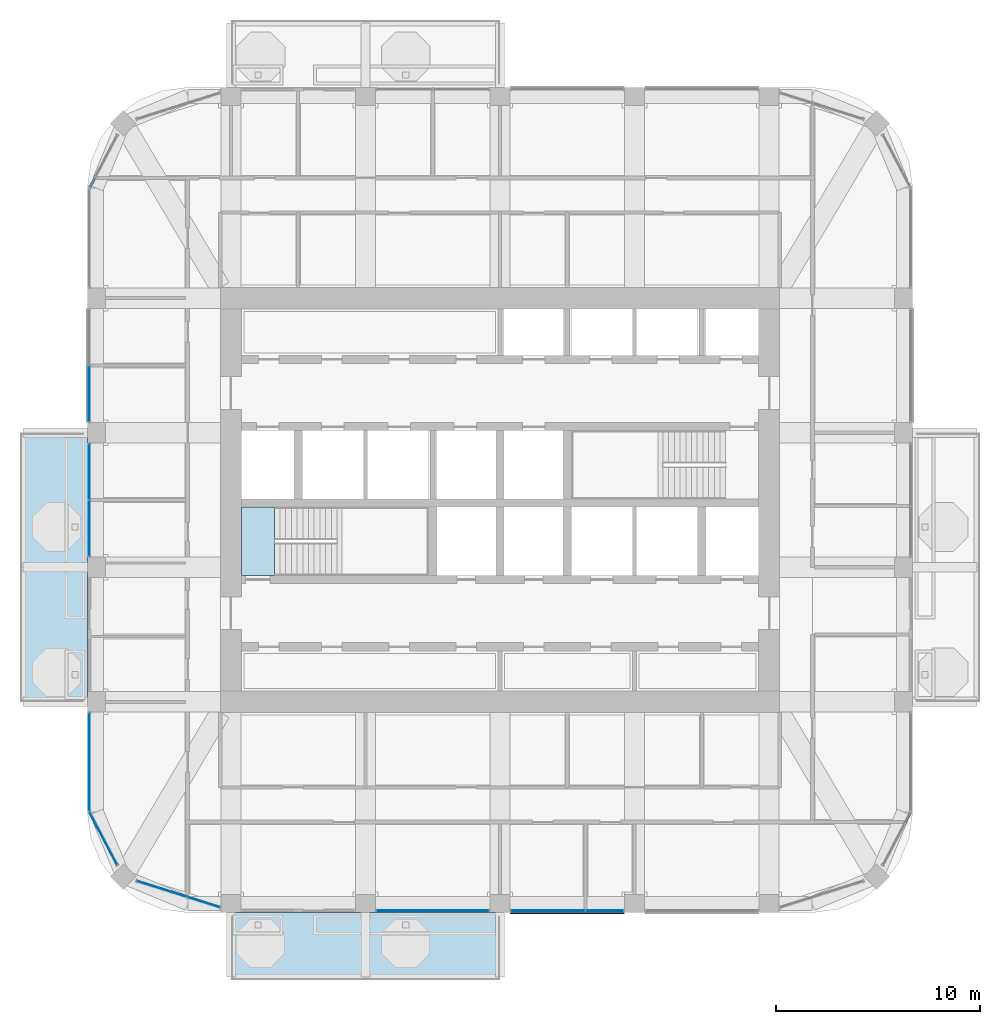
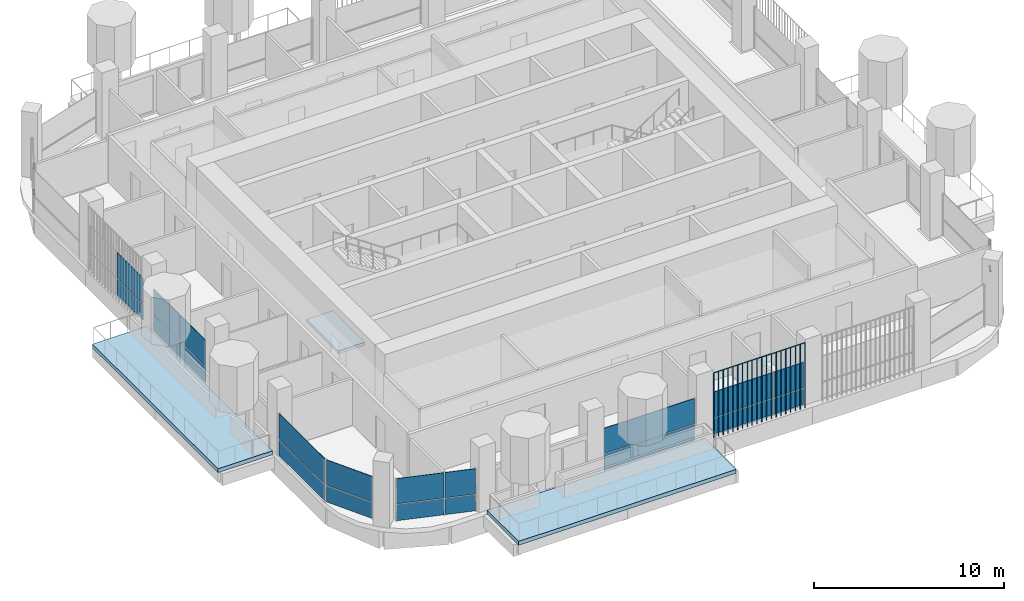
# One storey, part 7 of 18: 21 plates, 3 slabs, 2 members, 10 elements without a shape of their own.
"""IFC4 building model written with IfcOpenShell, lengths in metres."""

from ifc_helpers import new_model, si_unit, direction, frame, origin, origin_2d, place, context, subcontext, project, spatial, polyline, rectangle, outline, extrude, material, layer, layer_set, material_profile, profile_set, type_object, element, aggregate, save


model = new_model("IFC4")

# Units and contexts
model_context = context("Model", 3, precision=1e-05, world=origin(), true_north=direction((0.0, 1.0)))
body_context = subcontext(model_context, "Body", "Model", "MODEL_VIEW")
ifc_project = project(units=[si_unit("LENGTHUNIT", "METRE"), si_unit("AREAUNIT", "SQUARE_METRE"), si_unit("VOLUMEUNIT", "CUBIC_METRE"), si_unit("PLANEANGLEUNIT", "RADIAN"), si_unit("MASSUNIT", "GRAM", prefix="KILO")], contexts=[model_context])

# Site, building, storey
site_placement = place(None, origin())
site = spatial("IfcSite", under=ifc_project, at=site_placement, CompositionType="ELEMENT")
building_placement = place(site_placement, origin())
building = spatial("IfcBuilding", under=site, at=building_placement, Name="Cobogo Forest Laboratory Tower", CompositionType="ELEMENT")
storey_placement = place(building_placement, frame((0.0, 0.0, 271.199951171875)))
storey = spatial("IfcBuildingStorey", under=building, at=storey_placement, Name="L62", CompositionType="ELEMENT", Elevation=271.199951171875)

# Curtain wall, member
ifc_material_1 = material(Name="Aluminium curtain wall", Category="aluminium")
curtain_wall_type = type_object("IfcCurtainWallType", Name="CW-2 unitised curtain wall, solar control glazing, laboratory floors zones C and D", PredefinedType="USERDEFINED", material=ifc_material_1)
curtain_wall_1_placement = place(storey_placement, origin())
curtain_wall_1 = element("IfcCurtainWall", 1, at=curtain_wall_1_placement, inside=storey, type_object=curtain_wall_type, Name="Curtain wall 06 L62", ObjectType="UNITISED CURTAIN WALL", PredefinedType="USERDEFINED")
ifc_material_2 = material(Name="Aluminium transom", Category="aluminium")
ifc_material_profile = material_profile(ifc_material_2, rectangle(XDim=0.1201171875, YDim=0.06005859375, at=origin_2d()), Name="AL 60x120")
ifc_profile_set = profile_set([ifc_material_profile], Name="Aluminium transom")
member_type = type_object("IfcMemberType", Name="TR-1 aluminium transom 60x120", PredefinedType="USERDEFINED", material=ifc_profile_set)
member_1_placement = place(storey_placement, frame((46.282470703125, 7.289306640625, 1.050048828125), z_axis=(0.46414828098, 0.885757513806, 0.0), x_axis=(-0.885757513806, 0.46414828098, 0.0)))
member_1 = element("IfcMember", 2, at=member_1_placement, type_object=member_type, Name="CW-2 transom 2.1", ObjectType="TRANSOM", PredefinedType="USERDEFINED", context=body_context, shape_type="SweptSolid", body=[
    extrude(rectangle(XDim=0.1201171875, YDim=0.06005859375, at=origin_2d()), origin(), (0.0, 0.0, 1.0), 0.5166015625),
])
aggregate(curtain_wall_1, [member_1])

curtain_wall_2_placement = place(storey_placement, origin())
curtain_wall_2 = element("IfcCurtainWall", 3, at=curtain_wall_2_placement, inside=storey, type_object=curtain_wall_type, Name="Curtain wall 19 L62", ObjectType="UNITISED CURTAIN WALL", PredefinedType="USERDEFINED")
member_2_placement = place(storey_placement, frame((6.517578125, 38.91064453125, 1.050048828125), z_axis=(-0.46414828098, -0.885757513806, 0.0), x_axis=(0.885757513806, -0.46414828098, 0.0)))
member_2 = element("IfcMember", 4, at=member_2_placement, type_object=member_type, Name="CW-2 transom 2.1", ObjectType="TRANSOM", PredefinedType="USERDEFINED", context=body_context, shape_type="SweptSolid", body=[
    extrude(rectangle(XDim=0.1201171875, YDim=0.06005859375, at=origin_2d()), origin(), (0.0, 0.0, 1.0), 0.5166015625),
])
aggregate(curtain_wall_2, [member_2])

# Slabs
ifc_material_3 = material(Name="Concrete HA-40 (C40/50)", Category="concrete")
ifc_layer_1 = layer(ifc_material_3, 0.25)
ifc_layer_set_1 = layer_set([ifc_layer_1], Name="Balcony slab 250")
slab_type_1 = type_object("IfcSlabType", Name="Balcony slab 250", PredefinedType="FLOOR", material=ifc_layer_set_1)
slab_1_placement = place(storey_placement, frame((0.0, 0.0, -0.25)))
element("IfcSlab", 5, at=slab_1_placement, inside=storey, type_object=slab_type_1, Name="Balcony BAL-S1 L62", PredefinedType="FLOOR", context=body_context, shape_type="SweptSolid", body=[
    extrude(outline(polyline([(13.199951171875, -0.449951171875), (26.39990234375, -0.449951171875), (26.39990234375, 2.85009765625), (13.199951171875, 2.85009765625), (13.199951171875, -0.449951171875)])), origin(), (0.0, 0.0, 1.0), 0.25),
])
slab_2_placement = place(storey_placement, frame((0.0, 0.0, -0.25)))
element("IfcSlab", 6, at=slab_2_placement, inside=storey, type_object=slab_type_1, Name="Balcony BAL-W1 L62", PredefinedType="FLOOR", context=body_context, shape_type="SweptSolid", body=[
    extrude(outline(polyline([(2.85009765625, 13.199951171875), (6.14990234375, 13.199951171875), (6.14990234375, 26.39990234375), (2.85009765625, 26.39990234375), (2.85009765625, 13.199951171875)])), origin(), (0.0, 0.0, 1.0), 0.25),
])

# Curtain wall, plates
curtain_wall_3_placement = place(storey_placement, origin())
curtain_wall_3 = element("IfcCurtainWall", 7, at=curtain_wall_3_placement, inside=storey, type_object=curtain_wall_type, Name="Curtain wall 02 L62", ObjectType="UNITISED CURTAIN WALL", PredefinedType="USERDEFINED")
ifc_material_4 = material(Name="Solar control insulated glass", Category="glass")
ifc_layer_2 = layer(ifc_material_4, 0.031982421875)
ifc_layer_set_2 = layer_set([ifc_layer_2], Name="GP-2 solar control glass unit 32")
plate_type_1 = type_object("IfcPlateType", Name="GP-2 solar control glass unit 32", PredefinedType="CURTAIN_PANEL", material=ifc_layer_set_2)
plate_1_placement = place(storey_placement, frame((23.10009765625, 2.949951171875, 0.0), z_axis=(0.0, 0.0, 1.0), x_axis=(1.0, 0.0, 0.0)))
plate_1 = element("IfcPlate", 8, at=plate_1_placement, type_object=plate_type_1, Name="CW-2 panel 1.1", PredefinedType="CURTAIN_PANEL", context=body_context, shape_type="SweptSolid", body=[
    extrude(rectangle(XDim=5.47998046875, YDim=0.031982421875, at=origin_2d()), origin(), (0.0, 0.0, 1.0), 1.02001953125),
])
plate_2_placement = place(storey_placement, frame((23.10009765625, 2.949951171875, 1.080078125), z_axis=(0.0, 0.0, 1.0), x_axis=(1.0, 0.0, 0.0)))
plate_2 = element("IfcPlate", 9, at=plate_2_placement, type_object=plate_type_1, Name="CW-2 panel 1.2", PredefinedType="CURTAIN_PANEL", context=body_context, shape_type="SweptSolid", body=[
    extrude(rectangle(XDim=5.47998046875, YDim=0.031982421875, at=origin_2d()), origin(), (0.0, 0.0, 1.0), 1.6201171875),
])
aggregate(curtain_wall_3, [plate_1, plate_2])

curtain_wall_4_placement = place(storey_placement, origin())
curtain_wall_4 = element("IfcCurtainWall", 10, at=curtain_wall_4_placement, inside=storey, type_object=curtain_wall_type, Name="Curtain wall 03 L62", ObjectType="UNITISED CURTAIN WALL", PredefinedType="USERDEFINED")
plate_3_placement = place(storey_placement, frame((28.764892578125, 2.949951171875, 0.0), z_axis=(0.0, 0.0, 1.0), x_axis=(1.0, 0.0, 0.0)))
plate_3 = element("IfcPlate", 11, at=plate_3_placement, type_object=plate_type_1, Name="CW-2 panel 1.1", PredefinedType="CURTAIN_PANEL", context=body_context, shape_type="SweptSolid", body=[
    extrude(rectangle(XDim=3.610107421875, YDim=0.031982421875, at=origin_2d()), origin(), (0.0, 0.0, 1.0), 1.02001953125),
])
plate_4_placement = place(storey_placement, frame((28.764892578125, 2.949951171875, 1.080078125), z_axis=(0.0, 0.0, 1.0), x_axis=(1.0, 0.0, 0.0)))
plate_4 = element("IfcPlate", 12, at=plate_4_placement, type_object=plate_type_1, Name="CW-2 panel 1.2", PredefinedType="CURTAIN_PANEL", context=body_context, shape_type="SweptSolid", body=[
    extrude(rectangle(XDim=3.610107421875, YDim=0.031982421875, at=origin_2d()), origin(), (0.0, 0.0, 1.0), 1.6201171875),
])
plate_5_placement = place(storey_placement, frame((31.534912109375, 2.949951171875, 0.0), z_axis=(0.0, 0.0, 1.0), x_axis=(1.0, 0.0, 0.0)))
plate_5 = element("IfcPlate", 13, at=plate_5_placement, type_object=plate_type_1, Name="CW-2 panel 2.1", PredefinedType="CURTAIN_PANEL", context=body_context, shape_type="SweptSolid", body=[
    extrude(rectangle(XDim=1.81005859375, YDim=0.031982421875, at=origin_2d()), origin(), (0.0, 0.0, 1.0), 1.02001953125),
])
plate_6_placement = place(storey_placement, frame((31.534912109375, 2.949951171875, 1.080078125), z_axis=(0.0, 0.0, 1.0), x_axis=(1.0, 0.0, 0.0)))
plate_6 = element("IfcPlate", 14, at=plate_6_placement, type_object=plate_type_1, Name="CW-2 panel 2.2", PredefinedType="CURTAIN_PANEL", context=body_context, shape_type="SweptSolid", body=[
    extrude(rectangle(XDim=1.81005859375, YDim=0.031982421875, at=origin_2d()), origin(), (0.0, 0.0, 1.0), 1.6201171875),
])
aggregate(curtain_wall_4, [plate_3, plate_4, plate_5, plate_6])

curtain_wall_5_placement = place(storey_placement, origin())
curtain_wall_5 = element("IfcCurtainWall", 15, at=curtain_wall_5_placement, inside=storey, type_object=curtain_wall_type, Name="Curtain wall 21 L62", ObjectType="UNITISED CURTAIN WALL", PredefinedType="USERDEFINED")
plate_7_placement = place(storey_placement, frame((6.25, 28.31494140625, 0.0), z_axis=(0.0, 0.0, 1.0), x_axis=(0.0, -1.0, 0.0)))
plate_7 = element("IfcPlate", 16, at=plate_7_placement, type_object=plate_type_1, Name="CW-2 panel 2.1", PredefinedType="CURTAIN_PANEL", context=body_context, shape_type="SweptSolid", body=[
    extrude(rectangle(XDim=2.7099609375, YDim=0.031982421875, at=origin_2d()), origin(), (0.0, 0.0, 1.0), 1.02001953125),
])
plate_8_placement = place(storey_placement, frame((6.25, 28.31494140625, 1.080078125), z_axis=(0.0, 0.0, 1.0), x_axis=(0.0, -1.0, 0.0)))
plate_8 = element("IfcPlate", 17, at=plate_8_placement, type_object=plate_type_1, Name="CW-2 panel 2.2", PredefinedType="CURTAIN_PANEL", context=body_context, shape_type="SweptSolid", body=[
    extrude(rectangle(XDim=2.7099609375, YDim=0.031982421875, at=origin_2d()), origin(), (0.0, 0.0, 1.0), 1.6201171875),
])
aggregate(curtain_wall_5, [plate_7, plate_8])

curtain_wall_6_placement = place(storey_placement, origin())
curtain_wall_6 = element("IfcCurtainWall", 18, at=curtain_wall_6_placement, inside=storey, type_object=curtain_wall_type, Name="Curtain wall 22 L62", ObjectType="UNITISED CURTAIN WALL", PredefinedType="USERDEFINED")
plate_9_placement = place(storey_placement, frame((6.25, 24.485107421875, 0.0), z_axis=(0.0, 0.0, 1.0), x_axis=(0.0, -1.0, 0.0)))
plate_9 = element("IfcPlate", 19, at=plate_9_placement, type_object=plate_type_1, Name="CW-2 panel 1.1", PredefinedType="CURTAIN_PANEL", context=body_context, shape_type="SweptSolid", body=[
    extrude(rectangle(XDim=2.7099609375, YDim=0.031982421875, at=origin_2d()), origin(), (0.0, 0.0, 1.0), 1.02001953125),
])
plate_10_placement = place(storey_placement, frame((6.25, 24.485107421875, 1.080078125), z_axis=(0.0, 0.0, 1.0), x_axis=(0.0, -1.0, 0.0)))
plate_10 = element("IfcPlate", 20, at=plate_10_placement, type_object=plate_type_1, Name="CW-2 panel 1.2", PredefinedType="CURTAIN_PANEL", context=body_context, shape_type="SweptSolid", body=[
    extrude(rectangle(XDim=2.7099609375, YDim=0.031982421875, at=origin_2d()), origin(), (0.0, 0.0, 1.0), 1.6201171875),
])
plate_11_placement = place(storey_placement, frame((6.25, 21.715087890625, 0.0), z_axis=(0.0, 0.0, 1.0), x_axis=(0.0, -1.0, 0.0)))
plate_11 = element("IfcPlate", 21, at=plate_11_placement, type_object=plate_type_1, Name="CW-2 panel 2.1", PredefinedType="CURTAIN_PANEL", context=body_context, shape_type="SweptSolid", body=[
    extrude(rectangle(XDim=2.7099609375, YDim=0.031982421875, at=origin_2d()), origin(), (0.0, 0.0, 1.0), 1.02001953125),
])
plate_12_placement = place(storey_placement, frame((6.25, 21.715087890625, 1.080078125), z_axis=(0.0, 0.0, 1.0), x_axis=(0.0, -1.0, 0.0)))
plate_12 = element("IfcPlate", 22, at=plate_12_placement, type_object=plate_type_1, Name="CW-2 panel 2.2", PredefinedType="CURTAIN_PANEL", context=body_context, shape_type="SweptSolid", body=[
    extrude(rectangle(XDim=2.7099609375, YDim=0.031982421875, at=origin_2d()), origin(), (0.0, 0.0, 1.0), 1.6201171875),
])
aggregate(curtain_wall_6, [plate_9, plate_10, plate_11, plate_12])

curtain_wall_7_placement = place(storey_placement, origin())
curtain_wall_7 = element("IfcCurtainWall", 23, at=curtain_wall_7_placement, inside=storey, type_object=curtain_wall_type, Name="Curtain wall 24 L62", ObjectType="UNITISED CURTAIN WALL", PredefinedType="USERDEFINED")
plate_13_placement = place(storey_placement, frame((6.25, 10.25, 0.0), z_axis=(0.0, 0.0, 1.0), x_axis=(0.0, -1.0, 0.0)))
plate_13 = element("IfcPlate", 24, at=plate_13_placement, type_object=plate_type_1, Name="CW-2 panel 1.1", PredefinedType="CURTAIN_PANEL", context=body_context, shape_type="SweptSolid", body=[
    extrude(rectangle(XDim=4.780029296875, YDim=0.031982421875, at=origin_2d()), origin(), (0.0, 0.0, 1.0), 1.02001953125),
])
plate_14_placement = place(storey_placement, frame((6.25, 10.25, 1.080078125), z_axis=(0.0, 0.0, 1.0), x_axis=(0.0, -1.0, 0.0)))
plate_14 = element("IfcPlate", 25, at=plate_14_placement, type_object=plate_type_1, Name="CW-2 panel 1.2", PredefinedType="CURTAIN_PANEL", context=body_context, shape_type="SweptSolid", body=[
    extrude(rectangle(XDim=4.780029296875, YDim=0.031982421875, at=origin_2d()), origin(), (0.0, 0.0, 1.0), 1.6201171875),
])
aggregate(curtain_wall_7, [plate_13, plate_14])

curtain_wall_8_placement = place(storey_placement, origin())
curtain_wall_8 = element("IfcCurtainWall", 26, at=curtain_wall_8_placement, inside=storey, type_object=curtain_wall_type, Name="Curtain wall 25 L62", ObjectType="UNITISED CURTAIN WALL", PredefinedType="USERDEFINED")
plate_15_placement = place(storey_placement, frame((6.94287109375, 6.47802734375, 0.0), z_axis=(0.0, 0.0, 1.0), x_axis=(0.464283778337, -0.885686498245, 0.0)))
plate_15 = element("IfcPlate", 27, at=plate_15_placement, type_object=plate_type_1, Name="CW-2 panel 1.1", PredefinedType="CURTAIN_PANEL", context=body_context, shape_type="SweptSolid", body=[
    extrude(rectangle(XDim=2.864990234375, YDim=0.031982421875, at=origin_2d()), origin(), (0.0, 0.0, 1.0), 1.02001953125),
])
plate_16_placement = place(storey_placement, frame((6.94287109375, 6.47802734375, 1.080078125), z_axis=(0.0, 0.0, 1.0), x_axis=(0.464283778337, -0.885686498245, 0.0)))
plate_16 = element("IfcPlate", 28, at=plate_16_placement, type_object=plate_type_1, Name="CW-2 panel 1.2", PredefinedType="CURTAIN_PANEL", context=body_context, shape_type="SweptSolid", body=[
    extrude(rectangle(XDim=2.864990234375, YDim=0.031982421875, at=origin_2d()), origin(), (0.0, 0.0, 1.0), 1.6201171875),
])
aggregate(curtain_wall_8, [plate_15, plate_16])

curtain_wall_9_placement = place(storey_placement, origin())
curtain_wall_9 = element("IfcCurtainWall", 29, at=curtain_wall_9_placement, inside=storey, type_object=curtain_wall_type, Name="Curtain wall 26 L62", ObjectType="UNITISED CURTAIN WALL", PredefinedType="USERDEFINED")
plate_17_placement = place(storey_placement, frame((9.810546875, 4.0205078125, 0.0), z_axis=(0.0, 0.0, 1.0), x_axis=(0.953581379409, -0.301135439371, 0.0)))
plate_17 = element("IfcPlate", 30, at=plate_17_placement, type_object=plate_type_1, Name="CW-2 panel 1.1", PredefinedType="CURTAIN_PANEL", context=body_context, shape_type="SweptSolid", body=[
    extrude(rectangle(XDim=2.541748046875, YDim=0.031982421875, at=origin_2d()), origin(), (0.0, 0.0, 1.0), 1.02001953125),
])
plate_18_placement = place(storey_placement, frame((9.810546875, 4.0205078125, 1.080078125), z_axis=(0.0, 0.0, 1.0), x_axis=(0.953581379409, -0.301135439371, 0.0)))
plate_18 = element("IfcPlate", 31, at=plate_18_placement, type_object=plate_type_1, Name="CW-2 panel 1.2", PredefinedType="CURTAIN_PANEL", context=body_context, shape_type="SweptSolid", body=[
    extrude(rectangle(XDim=2.541748046875, YDim=0.031982421875, at=origin_2d()), origin(), (0.0, 0.0, 1.0), 1.6201171875),
])
plate_19_placement = place(storey_placement, frame((11.861083984375, 3.372802734375, 0.0), z_axis=(0.0, 0.0, 1.0), x_axis=(0.953581379409, -0.301135439371, 0.0)))
plate_19 = element("IfcPlate", 32, at=plate_19_placement, type_object=plate_type_1, Name="CW-2 panel 2.1", PredefinedType="CURTAIN_PANEL", context=body_context, shape_type="SweptSolid", body=[
    extrude(rectangle(XDim=1.639404296875, YDim=0.031982421875, at=origin_2d()), origin(), (0.0, 0.0, 1.0), 1.02001953125),
])
plate_20_placement = place(storey_placement, frame((11.861083984375, 3.372802734375, 1.080078125), z_axis=(0.0, 0.0, 1.0), x_axis=(0.953581379409, -0.301135439371, 0.0)))
plate_20 = element("IfcPlate", 33, at=plate_20_placement, type_object=plate_type_1, Name="CW-2 panel 2.2", PredefinedType="CURTAIN_PANEL", context=body_context, shape_type="SweptSolid", body=[
    extrude(rectangle(XDim=1.639404296875, YDim=0.031982421875, at=origin_2d()), origin(), (0.0, 0.0, 1.0), 1.6201171875),
])
aggregate(curtain_wall_9, [plate_17, plate_18, plate_19, plate_20])

# Stair, slab
ifc_material_5 = material(Name="Precast concrete HA-40 (C40/50)", Category="concrete")
stair_type = type_object("IfcStairType", Name="ST24 exit stair 24 risers", PredefinedType="HALF_TURN_STAIR", material=ifc_material_5)
stair_placement = place(storey_placement, origin())
stair = element("IfcStair", 34, at=stair_placement, inside=storey, type_object=stair_type, Name="Stair 1 L62 to L63", PredefinedType="HALF_TURN_STAIR")
ifc_layer_3 = layer(ifc_material_3, 0.199951171875)
ifc_layer_set_3 = layer_set([ifc_layer_3], Name="SL stair landing 200")
slab_type_2 = type_object("IfcSlabType", Name="SL stair landing 200", PredefinedType="LANDING", material=ifc_layer_set_3)
slab_3_placement = place(storey_placement, frame((0.0, 0.0, -0.199951171875)))
slab_3 = element("IfcSlab", 35, at=slab_3_placement, type_object=slab_type_2, Name="ST1 landing 1", PredefinedType="LANDING", context=body_context, shape_type="SweptSolid", body=[
    extrude(outline(polyline([(13.72509765625, 19.39990234375), (15.326904296875, 19.39990234375), (15.326904296875, 22.75), (13.72509765625, 22.75), (13.72509765625, 19.39990234375)])), origin(), (0.0, 0.0, 1.0), 0.199951171875),
])
aggregate(stair, [slab_3])

# Plate
ifc_material_6 = material(Name="Terracotta", Category="masonry")
plate_type_2 = type_object("IfcPlateType", Name="TB1 terracotta baguette screen", PredefinedType="USERDEFINED", material=ifc_material_6)
plate_21_placement = place(storey_placement, frame((26.93115234375, 2.822021484375, -0.14990234375)))
element("IfcPlate", 36, at=plate_21_placement, inside=storey, type_object=plate_type_2, Name="Baguette screen S3 L62", ObjectType="BAGUETTE SCREEN", PredefinedType="USERDEFINED", context=body_context, shape_type="SweptSolid", body=[
    extrude(outline(polyline([(0.02880859375, 0.011962890625), (0.011962890625, 0.02880859375), (-0.011962890625, 0.02880859375), (-0.02880859375, 0.011962890625), (-0.02880859375, -0.011962890625), (-0.011962890625, -0.02880859375), (0.011962890625, -0.02880859375), (0.02880859375, -0.011962890625), (0.02880859375, 0.011962890625)])), frame((0.0, 0.0, 4.168701171875), z_axis=(1.0, 0.0, 0.0), x_axis=(0.0, 1.0, 0.0)), (0.0, 0.0, 1.0), 5.53759765625),
    extrude(outline(polyline([(0.02880859375, 0.011962890625), (0.011962890625, 0.02880859375), (-0.011962890625, 0.02880859375), (-0.02880859375, 0.011962890625), (-0.02880859375, -0.011962890625), (-0.011962890625, -0.02880859375), (0.011962890625, -0.02880859375), (0.02880859375, -0.011962890625), (0.02880859375, 0.011962890625)])), origin(), (0.0, 0.0, 1.0), 4.137451171875),
    extrude(outline(polyline([(0.02880859375, 0.011962890625), (0.011962890625, 0.02880859375), (-0.011962890625, 0.02880859375), (-0.02880859375, 0.011962890625), (-0.02880859375, -0.011962890625), (-0.011962890625, -0.02880859375), (0.011962890625, -0.02880859375), (0.02880859375, -0.011962890625), (0.02880859375, 0.011962890625)])), frame((0.29150390625, 0.0, 0.0)), (0.0, 0.0, 1.0), 4.137451171875),
    extrude(outline(polyline([(0.02880859375, 0.011962890625), (0.011962890625, 0.02880859375), (-0.011962890625, 0.02880859375), (-0.02880859375, 0.011962890625), (-0.02880859375, -0.011962890625), (-0.011962890625, -0.02880859375), (0.011962890625, -0.02880859375), (0.02880859375, -0.011962890625), (0.02880859375, 0.011962890625)])), frame((0.5830078125, 0.0, 0.0)), (0.0, 0.0, 1.0), 4.137451171875),
    extrude(outline(polyline([(0.02880859375, 0.011962890625), (0.011962890625, 0.02880859375), (-0.011962890625, 0.02880859375), (-0.02880859375, 0.011962890625), (-0.02880859375, -0.011962890625), (-0.011962890625, -0.02880859375), (0.011962890625, -0.02880859375), (0.02880859375, -0.011962890625), (0.02880859375, 0.011962890625)])), frame((0.874267578125, 0.0, 0.0)), (0.0, 0.0, 1.0), 4.137451171875),
    extrude(outline(polyline([(0.02880859375, 0.011962890625), (0.011962890625, 0.02880859375), (-0.011962890625, 0.02880859375), (-0.02880859375, 0.011962890625), (-0.02880859375, -0.011962890625), (-0.011962890625, -0.02880859375), (0.011962890625, -0.02880859375), (0.02880859375, -0.011962890625), (0.02880859375, 0.011962890625)])), frame((1.165771484375, 0.0, 0.0)), (0.0, 0.0, 1.0), 4.137451171875),
    extrude(outline(polyline([(0.02880859375, 0.011962890625), (0.011962890625, 0.02880859375), (-0.011962890625, 0.02880859375), (-0.02880859375, 0.011962890625), (-0.02880859375, -0.011962890625), (-0.011962890625, -0.02880859375), (0.011962890625, -0.02880859375), (0.02880859375, -0.011962890625), (0.02880859375, 0.011962890625)])), frame((1.457275390625, 0.0, 0.0)), (0.0, 0.0, 1.0), 4.137451171875),
    extrude(outline(polyline([(0.02880859375, 0.011962890625), (0.011962890625, 0.02880859375), (-0.011962890625, 0.02880859375), (-0.02880859375, 0.011962890625), (-0.02880859375, -0.011962890625), (-0.011962890625, -0.02880859375), (0.011962890625, -0.02880859375), (0.02880859375, -0.011962890625), (0.02880859375, 0.011962890625)])), frame((1.748779296875, 0.0, 0.0)), (0.0, 0.0, 1.0), 4.137451171875),
    extrude(outline(polyline([(0.02880859375, 0.011962890625), (0.011962890625, 0.02880859375), (-0.011962890625, 0.02880859375), (-0.02880859375, 0.011962890625), (-0.02880859375, -0.011962890625), (-0.011962890625, -0.02880859375), (0.011962890625, -0.02880859375), (0.02880859375, -0.011962890625), (0.02880859375, 0.011962890625)])), frame((2.040283203125, 0.0, 0.0)), (0.0, 0.0, 1.0), 4.137451171875),
    extrude(outline(polyline([(0.02880859375, 0.011962890625), (0.011962890625, 0.02880859375), (-0.011962890625, 0.02880859375), (-0.02880859375, 0.011962890625), (-0.02880859375, -0.011962890625), (-0.011962890625, -0.02880859375), (0.011962890625, -0.02880859375), (0.02880859375, -0.011962890625), (0.02880859375, 0.011962890625)])), frame((2.33154296875, 0.0, 0.0)), (0.0, 0.0, 1.0), 4.137451171875),
    extrude(outline(polyline([(0.02880859375, 0.011962890625), (0.011962890625, 0.02880859375), (-0.011962890625, 0.02880859375), (-0.02880859375, 0.011962890625), (-0.02880859375, -0.011962890625), (-0.011962890625, -0.02880859375), (0.011962890625, -0.02880859375), (0.02880859375, -0.011962890625), (0.02880859375, 0.011962890625)])), frame((2.623046875, 0.0, 0.0)), (0.0, 0.0, 1.0), 4.137451171875),
    extrude(outline(polyline([(0.02880859375, 0.011962890625), (0.011962890625, 0.02880859375), (-0.011962890625, 0.02880859375), (-0.02880859375, 0.011962890625), (-0.02880859375, -0.011962890625), (-0.011962890625, -0.02880859375), (0.011962890625, -0.02880859375), (0.02880859375, -0.011962890625), (0.02880859375, 0.011962890625)])), frame((2.91455078125, 0.0, 0.0)), (0.0, 0.0, 1.0), 4.137451171875),
    extrude(outline(polyline([(0.02880859375, 0.011962890625), (0.011962890625, 0.02880859375), (-0.011962890625, 0.02880859375), (-0.02880859375, 0.011962890625), (-0.02880859375, -0.011962890625), (-0.011962890625, -0.02880859375), (0.011962890625, -0.02880859375), (0.02880859375, -0.011962890625), (0.02880859375, 0.011962890625)])), frame((3.2060546875, 0.0, 0.0)), (0.0, 0.0, 1.0), 4.137451171875),
    extrude(outline(polyline([(0.02880859375, 0.011962890625), (0.011962890625, 0.02880859375), (-0.011962890625, 0.02880859375), (-0.02880859375, 0.011962890625), (-0.02880859375, -0.011962890625), (-0.011962890625, -0.02880859375), (0.011962890625, -0.02880859375), (0.02880859375, -0.011962890625), (0.02880859375, 0.011962890625)])), frame((3.497314453125, 0.0, 0.0)), (0.0, 0.0, 1.0), 4.137451171875),
    extrude(outline(polyline([(0.02880859375, 0.011962890625), (0.011962890625, 0.02880859375), (-0.011962890625, 0.02880859375), (-0.02880859375, 0.011962890625), (-0.02880859375, -0.011962890625), (-0.011962890625, -0.02880859375), (0.011962890625, -0.02880859375), (0.02880859375, -0.011962890625), (0.02880859375, 0.011962890625)])), frame((3.788818359375, 0.0, 0.0)), (0.0, 0.0, 1.0), 4.137451171875),
    extrude(outline(polyline([(0.02880859375, 0.011962890625), (0.011962890625, 0.02880859375), (-0.011962890625, 0.02880859375), (-0.02880859375, 0.011962890625), (-0.02880859375, -0.011962890625), (-0.011962890625, -0.02880859375), (0.011962890625, -0.02880859375), (0.02880859375, -0.011962890625), (0.02880859375, 0.011962890625)])), frame((4.080322265625, 0.0, 0.0)), (0.0, 0.0, 1.0), 4.137451171875),
    extrude(outline(polyline([(0.02880859375, 0.011962890625), (0.011962890625, 0.02880859375), (-0.011962890625, 0.02880859375), (-0.02880859375, 0.011962890625), (-0.02880859375, -0.011962890625), (-0.011962890625, -0.02880859375), (0.011962890625, -0.02880859375), (0.02880859375, -0.011962890625), (0.02880859375, 0.011962890625)])), frame((4.371826171875, 0.0, 0.0)), (0.0, 0.0, 1.0), 4.137451171875),
    extrude(outline(polyline([(0.02880859375, 0.011962890625), (0.011962890625, 0.02880859375), (-0.011962890625, 0.02880859375), (-0.02880859375, 0.011962890625), (-0.02880859375, -0.011962890625), (-0.011962890625, -0.02880859375), (0.011962890625, -0.02880859375), (0.02880859375, -0.011962890625), (0.02880859375, 0.011962890625)])), frame((4.663330078125, 0.0, 0.0)), (0.0, 0.0, 1.0), 4.137451171875),
    extrude(outline(polyline([(0.02880859375, 0.011962890625), (0.011962890625, 0.02880859375), (-0.011962890625, 0.02880859375), (-0.02880859375, 0.011962890625), (-0.02880859375, -0.011962890625), (-0.011962890625, -0.02880859375), (0.011962890625, -0.02880859375), (0.02880859375, -0.011962890625), (0.02880859375, 0.011962890625)])), frame((4.95458984375, 0.0, 0.0)), (0.0, 0.0, 1.0), 4.137451171875),
    extrude(outline(polyline([(0.02880859375, 0.011962890625), (0.011962890625, 0.02880859375), (-0.011962890625, 0.02880859375), (-0.02880859375, 0.011962890625), (-0.02880859375, -0.011962890625), (-0.011962890625, -0.02880859375), (0.011962890625, -0.02880859375), (0.02880859375, -0.011962890625), (0.02880859375, 0.011962890625)])), frame((5.24609375, 0.0, 0.0)), (0.0, 0.0, 1.0), 4.137451171875),
    extrude(outline(polyline([(0.02880859375, 0.011962890625), (0.011962890625, 0.02880859375), (-0.011962890625, 0.02880859375), (-0.02880859375, 0.011962890625), (-0.02880859375, -0.011962890625), (-0.011962890625, -0.02880859375), (0.011962890625, -0.02880859375), (0.02880859375, -0.011962890625), (0.02880859375, 0.011962890625)])), frame((5.53759765625, 0.0, 0.0)), (0.0, 0.0, 1.0), 4.137451171875),
])

save(model, "model.ifc")
